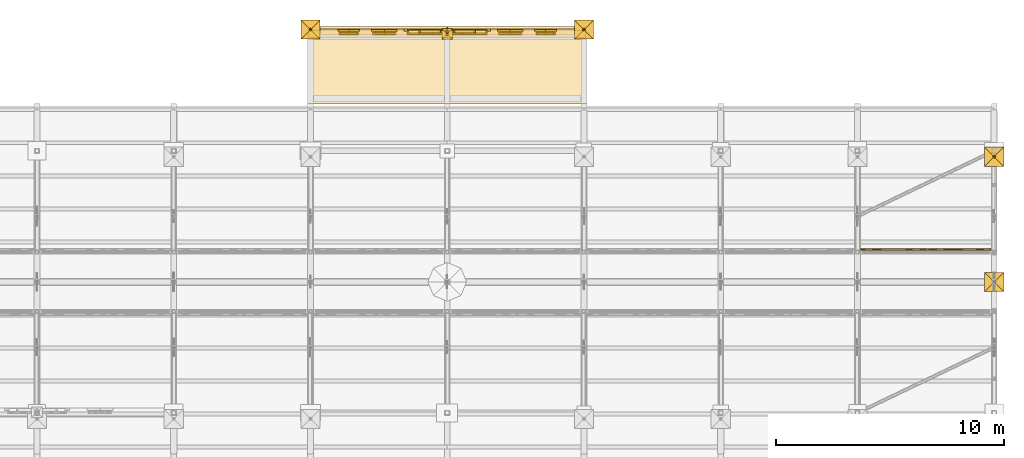
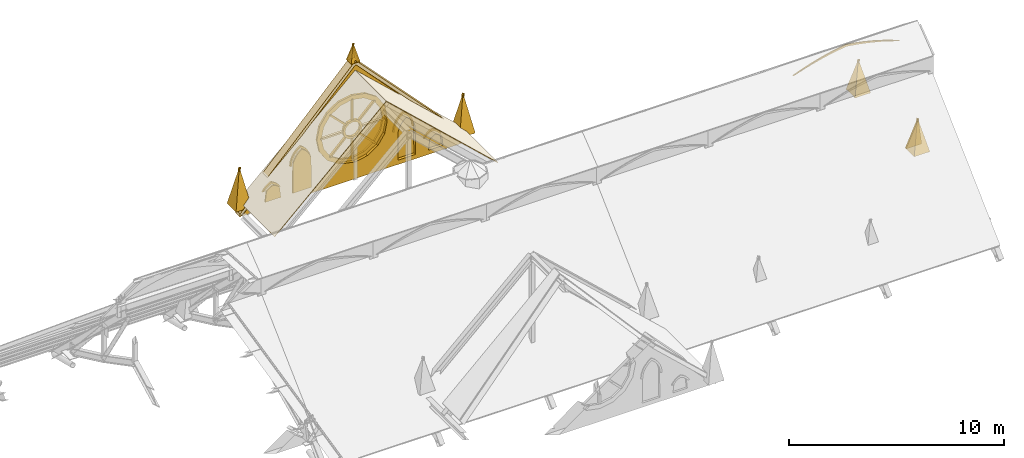
# One storey, part 31 of 33: 44 coverings.
"""IFC4 building model written with IfcOpenShell, lengths in metres."""

import ifcopenshell
import ifcopenshell.guid

model = None  # the IFC model being written
_history = None  # IfcOwnerHistory: only IFC2X3 demands one
_inside = {}  # id of a spatial element -> (the spatial element, [elements in it])
_under = {}  # id of a project, library or spatial element -> (it, [spatial elements below it])
_declared = {}  # id of a project -> (the project, [libraries it declares])
_typed = {}  # id of a type object -> (the type object, [elements of that type])
_made_of = {}  # id of a material, layer set ... -> (it, [elements and type objects made of it])


def new_model(schema):
    """Start an empty IFC model of exactly this schema.

    Asked for "IFC4X3", IfcOpenShell would pick the latest addendum, in which some entities
    have other attributes; the version numbers below select the first issue.
    IFC2X3 requires an IfcOwnerHistory on every rooted entity: one is made here for all.
    """
    global model, _history
    if schema == "IFC4X3":
        model = ifcopenshell.file(schema_version=(4, 3, 0, 0))
    else:
        model = ifcopenshell.file(schema=schema)
    _inside.clear()
    _under.clear()
    _declared.clear()
    _typed.clear()
    _made_of.clear()
    _history = None
    if model.schema == "IFC2X3":
        org = make("IfcOrganization", Name="unknown")
        user = make(
            "IfcPersonAndOrganization",
            ThePerson=make("IfcPerson", FamilyName="unknown"),
            TheOrganization=org,
        )
        app = make(
            "IfcApplication",
            ApplicationDeveloper=org,
            Version="unknown",
            ApplicationFullName="unknown",
            ApplicationIdentifier="unknown",
        )
        _history = make(
            "IfcOwnerHistory",
            OwningUser=user,
            OwningApplication=app,
            ChangeAction="ADDED",
            CreationDate=0,
        )
    return model


def make(cls, **values):
    """One entity of the class cls with the attributes given. An attribute that is None is left unset."""
    return model.create_entity(
        cls, **{name: value for name, value in values.items() if value is not None}
    )


def rooted(cls, **values):
    """An entity with a GlobalId (a new one), such as an element, a storey or a relation."""
    return make(cls, GlobalId=ifcopenshell.guid.new(), OwnerHistory=_history, **values)


def si_unit(unit_type, name, prefix=None):
    """IfcSIUnit, for example si_unit("LENGTHUNIT", "METRE", prefix="MILLI")."""
    return make("IfcSIUnit", UnitType=unit_type, Prefix=prefix, Name=name)


def assignment(units):
    """IfcUnitAssignment: the units of a project."""
    return None if units is None else make("IfcUnitAssignment", Units=units)


def point(xyz):
    """IfcCartesianPoint."""
    return None if xyz is None else make("IfcCartesianPoint", Coordinates=xyz)


def direction(xyz):
    """IfcDirection."""
    return None if xyz is None else make("IfcDirection", DirectionRatios=xyz)


def frame(location, z_axis=None, x_axis=None):
    """IfcAxis2Placement3D, a coordinate frame: its origin and axes. An axis left out is left unset."""
    return make(
        "IfcAxis2Placement3D",
        Location=point(location),
        Axis=direction(z_axis),
        RefDirection=direction(x_axis),
    )


def origin():
    """The frame at (0, 0, 0) with its axes left unset."""
    return frame((0.0, 0.0, 0.0))


def place(relative_to, where):
    """IfcLocalPlacement: puts the frame where relative to a parent placement (None: the world)."""
    return make(
        "IfcLocalPlacement", PlacementRelTo=relative_to, RelativePlacement=where
    )


def context(
    kind, dimensions, precision=None, world=None, true_north=None, identifier=None
):
    """IfcGeometricRepresentationContext, for example the 3D "Model" context."""
    return make(
        "IfcGeometricRepresentationContext",
        ContextIdentifier=identifier,
        ContextType=kind,
        CoordinateSpaceDimension=dimensions,
        Precision=precision,
        WorldCoordinateSystem=world,
        TrueNorth=true_north,
    )


def subcontext(parent, identifier, kind, view, scale=None):
    """IfcGeometricRepresentationSubContext, for example "Body" below "Model"."""
    return make(
        "IfcGeometricRepresentationSubContext",
        ContextIdentifier=identifier,
        ContextType=kind,
        ParentContext=parent,
        TargetScale=scale,
        TargetView=view,
    )


def project(units=None, contexts=None):
    """IfcProject with its units and contexts."""
    return rooted(
        "IfcProject",
        Name="project",
        RepresentationContexts=contexts,
        UnitsInContext=assignment(units),
    )


def spatial(cls, under=None, at=None, **own):
    """A site, building, storey or space (cls), placed at a placement, below another one or the project."""
    s = rooted(cls, ObjectPlacement=at, **own)
    if under is not None:
        _under.setdefault(under.id(), (under, []))[1].append(s)
    return s


def polyline(points):
    """IfcPolyline through the points."""
    return make("IfcPolyline", Points=[point(p) for p in points])


def outline(outer, holes=None, kind="AREA"):
    """IfcArbitraryClosedProfileDef: a profile drawn as a closed curve; with holes, ...WithVoids."""
    if holes is None:
        return make("IfcArbitraryClosedProfileDef", ProfileType=kind, OuterCurve=outer)
    return make(
        "IfcArbitraryProfileDefWithVoids",
        ProfileType=kind,
        OuterCurve=outer,
        InnerCurves=holes,
    )


def extrude(swept, where, along, depth):
    """IfcExtrudedAreaSolid: the profile swept, set in the frame where, extruded along a direction by depth."""
    return make(
        "IfcExtrudedAreaSolid",
        SweptArea=swept,
        Position=where,
        ExtrudedDirection=direction(along),
        Depth=depth,
    )


def shape(context_of_items, identifier, shape_type, items):
    """IfcShapeRepresentation: the items that make up one representation, for example the "Body"."""
    return make(
        "IfcShapeRepresentation",
        ContextOfItems=context_of_items,
        RepresentationIdentifier=identifier,
        RepresentationType=shape_type,
        Items=items,
    )


def material(Name=None, Category=None):
    """IfcMaterial."""
    return make("IfcMaterial", Name=Name, Category=Category)


def made_of(thing, what):
    """Note that an element or type object is made of a material, layer set ...; save() writes the relation."""
    if what is not None:
        _made_of.setdefault(what.id(), (what, []))[1].append(thing)
    return thing


def type_object(cls, material=None, **own):
    """A type object (cls), such as IfcWallType, which elements share."""
    return made_of(rooted(cls, **own), material)


def element(
    cls,
    number,
    at=None,
    inside=None,
    cuts=None,
    type_object=None,
    material=None,
    context=None,
    identifier="Body",
    shape_type=None,
    held_by="IfcProductDefinitionShape",
    body=None,
    shapes=None,
    **own,
):
    """One element of the class cls, such as IfcWall. Its Tag is "e" and its number.

    at: its placement. inside: the storey or other place that contains it. cuts: it is an
    opening in that element (IfcRelVoidsElement). A single representation is given by context,
    identifier, shape_type and body (its items); several are given by shapes. held_by: the class
    of the entity that holds the representations. save() writes the other relations.
    """
    e = rooted(cls, Tag="e%d" % number, ObjectPlacement=at, **own)
    if body is not None:
        shapes = [shape(context, identifier, shape_type, body)]
    if shapes is not None:
        e.Representation = make(held_by, Representations=shapes)
    if inside is not None:
        _inside.setdefault(inside.id(), (inside, []))[1].append(e)
    if cuts is not None:
        rooted(
            "IfcRelVoidsElement", RelatingBuildingElement=cuts, RelatedOpeningElement=e
        )
    if type_object is not None:
        _typed.setdefault(type_object.id(), (type_object, []))[1].append(e)
    return made_of(e, material)


def aggregate(whole, parts):
    """IfcRelAggregates: a whole, such as a stair, and the parts it consists of."""
    return rooted("IfcRelAggregates", RelatingObject=whole, RelatedObjects=parts)


def save(model, path):
    """Write the relations noted so far, then the file.

    IfcRelAggregates (storeys below a building ...), IfcRelContainedInSpatialStructure (elements
    in a storey), IfcRelDefinesByType, IfcRelAssociatesMaterial and IfcRelDeclares: one each for
    every whole, place, type object, material and project.
    """
    for whole, parts in _under.values():
        aggregate(whole, parts)
    for where, things in _inside.values():
        rooted(
            "IfcRelContainedInSpatialStructure",
            RelatedElements=things,
            RelatingStructure=where,
        )
    for kind, things in _typed.values():
        rooted("IfcRelDefinesByType", RelatedObjects=things, RelatingType=kind)
    for what, things in _made_of.values():
        rooted("IfcRelAssociatesMaterial", RelatedObjects=things, RelatingMaterial=what)
    for by, libraries in _declared.values():
        rooted("IfcRelDeclares", RelatingContext=by, RelatedDefinitions=libraries)
    model.write(path)


model = new_model("IFC4")

# Units and contexts
model_context = context("Model", 3, precision=1e-05, world=origin(), true_north=direction((0.0, 1.0)))
body_context = subcontext(model_context, "Body", "Model", "MODEL_VIEW")
ifc_project = project(units=[si_unit("LENGTHUNIT", "METRE"), si_unit("AREAUNIT", "SQUARE_METRE"), si_unit("VOLUMEUNIT", "CUBIC_METRE"), si_unit("PLANEANGLEUNIT", "RADIAN"), si_unit("MASSUNIT", "GRAM", prefix="KILO")], contexts=[model_context])

# Site, building, storey
site_placement = place(None, origin())
site = spatial("IfcSite", under=ifc_project, at=site_placement, CompositionType="ELEMENT")
building_placement = place(site_placement, origin())
building = spatial("IfcBuilding", under=site, at=building_placement, Name="Cumevento Cable Car Station", CompositionType="ELEMENT")
storey_placement = place(building_placement, frame((0.0, 0.0, 22.5)))
storey = spatial("IfcBuildingStorey", under=building, at=storey_placement, Name="RF", CompositionType="ELEMENT", Elevation=22.5)

# Coverings
ifc_material_1 = material(Name="Standing-Seam Zinc-Titanium Roof Sheet", Category="steel")
covering_type_1 = type_object("IfcCoveringType", Name="Standing-Seam Zinc Roofing CV-RF01", PredefinedType="ROOFING", material=ifc_material_1)
for number, where, z_axis, x_axis, name in (
    (1, (88.0, 61.949951171875, 1.20361328125), (-0.682004625705, 0.0, 0.731347858762), (0.0, -1.0, 0.0), "Standing-Seam Zinc Roof Covering #19"),
    (2, (94.014892578125, 61.949951171875, 6.784912109375), (0.682004625705, 0.0, 0.731347858762), (0.0, -1.0, 0.0), "Standing-Seam Zinc Roof Covering #20"),
):
    element("IfcCovering", number, at=place(storey_placement, frame(where, z_axis=z_axis, x_axis=x_axis)), inside=storey, type_object=covering_type_1, Name=name, PredefinedType="ROOFING", context=body_context, shape_type="SweptSolid", body=[
        extrude(outline(polyline([(0.0, 0.0), (3.39990234375, 0.0), (3.39990234375, 8.183667115676975), (0.0, 8.183667115676975), (0.0, 0.0)])), origin(), (0.0, 0.0, -1.0), 0.02587890625),
    ])
ifc_material_2 = material(Name="Gnaisse Facoidal Stone Ashlar 85 MPa", Category="masonry")
covering_type_2 = type_object("IfcCoveringType", Name="Gnaisse Ashlar Cladding CV-CL01", PredefinedType="CLADDING", material=ifc_material_2)
for number, where, z_axis, x_axis, name in (
    (3, (117.580078125, 51.159912109375, 0.3701171875), (0.0, 0.973845107191, 0.227212911607), (1.0, 0.0, 0.0), "Gothic Buttress Pinnacle Spire Facet 1 bt:118.0:51.0"),
    (4, (118.419921875, 51.159912109375, 0.3701171875), (0.973845107191, 0.0, 0.227212911607), (0.0, -1.0, 0.0), "Gothic Buttress Pinnacle Spire Facet 2 bt:118.0:51.0"),
    (5, (118.419921875, 50.320068359375, 0.3701171875), (0.0, -0.973845107191, 0.227212911607), (-1.0, 0.0, 0.0), "Gothic Buttress Pinnacle Spire Facet 3 bt:118.0:51.0"),
    (6, (117.580078125, 50.320068359375, 0.3701171875), (-0.973845107191, 0.0, 0.227212911607), (0.0, 1.0, 0.0), "Gothic Buttress Pinnacle Spire Facet 4 bt:118.0:51.0"),
    (7, (117.580078125, 56.659912109375, 0.3701171875), (0.0, 0.973845107191, 0.227212911607), (1.0, 0.0, 0.0), "Gothic Buttress Pinnacle Spire Facet 1 bt:118.0:56.5"),
    (8, (118.419921875, 56.659912109375, 0.3701171875), (0.973845107191, 0.0, 0.227212911607), (0.0, -1.0, 0.0), "Gothic Buttress Pinnacle Spire Facet 2 bt:118.0:56.5"),
    (9, (118.419921875, 55.820068359375, 0.3701171875), (0.0, -0.973845107191, 0.227212911607), (-1.0, 0.0, 0.0), "Gothic Buttress Pinnacle Spire Facet 3 bt:118.0:56.5"),
    (10, (117.580078125, 55.820068359375, 0.3701171875), (-0.973845107191, 0.0, 0.227212911607), (0.0, 1.0, 0.0), "Gothic Buttress Pinnacle Spire Facet 4 bt:118.0:56.5"),
):
    element("IfcCovering", number, at=place(storey_placement, frame(where, z_axis=z_axis, x_axis=x_axis)), inside=storey, type_object=covering_type_2, Name=name, PredefinedType="CLADDING", context=body_context, shape_type="SweptSolid", body=[
        extrude(outline(polyline([(0.0, 0.0), (0.83984375, 0.0), (0.419921875, -1.848142660686801), (0.0, 0.0)])), origin(), (0.0, 0.0, -1.0), 0.0849609375),
    ])
covering_1_placement = place(storey_placement, frame((88.419921875, 61.39990234375, 1.010009765625), z_axis=(0.0, -0.981432810331, 0.191806253302), x_axis=(-1.0, 0.0, 0.0)))
element("IfcCovering", 11, at=covering_1_placement, inside=storey, type_object=covering_type_2, Name="Gothic Buttress Pinnacle Spire Facet 1 ptl_butt_f:1:88", PredefinedType="CLADDING", context=body_context, shape_type="SweptSolid", body=[
    extrude(outline(polyline([(0.0, 0.0), (0.83984375, 0.0), (0.419921875, -2.190575168385676), (0.0, 0.0)])), origin(), (0.0, 0.0, -1.0), 0.0849609375),
])
covering_2_placement = place(storey_placement, frame((87.580078125, 61.39990234375, 1.010009765625), z_axis=(-0.981453784896, 0.0, 0.191698899616), x_axis=(0.0, 1.0, 0.0)))
element("IfcCovering", 12, at=covering_2_placement, inside=storey, type_object=covering_type_2, Name="Gothic Buttress Pinnacle Spire Facet 2 ptl_butt_f:1:88", PredefinedType="CLADDING", context=body_context, shape_type="SweptSolid", body=[
    extrude(outline(polyline([(0.0, 0.0), (0.840087890625, 0.0), (0.420166015625, -2.1905283537916733), (0.0, 0.0)])), origin(), (0.0, 0.0, -1.0), 0.0849609375),
])
covering_3_placement = place(storey_placement, frame((87.580078125, 62.239990234375, 1.010009765625), z_axis=(0.0, 0.981453784896, 0.191698899616), x_axis=(1.0, 0.0, 0.0)))
element("IfcCovering", 13, at=covering_3_placement, inside=storey, type_object=covering_type_2, Name="Gothic Buttress Pinnacle Spire Facet 3 ptl_butt_f:1:88", PredefinedType="CLADDING", context=body_context, shape_type="SweptSolid", body=[
    extrude(outline(polyline([(0.0, 0.0), (0.83984375, 0.0), (0.419921875, -2.1905283537916733), (0.0, 0.0)])), origin(), (0.0, 0.0, -1.0), 0.0849609375),
])
covering_4_placement = place(storey_placement, frame((88.419921875, 62.239990234375, 1.010009765625), z_axis=(0.981453784896, 0.0, 0.191698899616), x_axis=(0.0, -1.0, 0.0)))
element("IfcCovering", 14, at=covering_4_placement, inside=storey, type_object=covering_type_2, Name="Gothic Buttress Pinnacle Spire Facet 4 ptl_butt_f:1:88", PredefinedType="CLADDING", context=body_context, shape_type="SweptSolid", body=[
    extrude(outline(polyline([(0.0, 0.0), (0.840087890625, 0.0), (0.419921875, -2.1905283537916733), (0.0, 0.0)])), origin(), (0.0, 0.0, -1.0), 0.0849609375),
])
covering_5_placement = place(storey_placement, frame((100.419921875, 61.39990234375, 1.010009765625), z_axis=(0.0, -0.981432810331, 0.191806253302), x_axis=(-1.0, 0.0, 0.0)))
element("IfcCovering", 15, at=covering_5_placement, inside=storey, type_object=covering_type_2, Name="Gothic Buttress Pinnacle Spire Facet 1 ptl_butt_f:1:100", PredefinedType="CLADDING", context=body_context, shape_type="SweptSolid", body=[
    extrude(outline(polyline([(0.0, 0.0), (0.83984375, 0.0), (0.419921875, -2.190575168385676), (0.0, 0.0)])), origin(), (0.0, 0.0, -1.0), 0.0849609375),
])
covering_6_placement = place(storey_placement, frame((99.580078125, 61.39990234375, 1.010009765625), z_axis=(-0.981453784896, 0.0, 0.191698899616), x_axis=(0.0, 1.0, 0.0)))
element("IfcCovering", 16, at=covering_6_placement, inside=storey, type_object=covering_type_2, Name="Gothic Buttress Pinnacle Spire Facet 2 ptl_butt_f:1:100", PredefinedType="CLADDING", context=body_context, shape_type="SweptSolid", body=[
    extrude(outline(polyline([(0.0, 0.0), (0.840087890625, 0.0), (0.420166015625, -2.1905283537916733), (0.0, 0.0)])), origin(), (0.0, 0.0, -1.0), 0.0849609375),
])
covering_7_placement = place(storey_placement, frame((99.580078125, 62.239990234375, 1.010009765625), z_axis=(0.0, 0.981453784896, 0.191698899616), x_axis=(1.0, 0.0, 0.0)))
element("IfcCovering", 17, at=covering_7_placement, inside=storey, type_object=covering_type_2, Name="Gothic Buttress Pinnacle Spire Facet 3 ptl_butt_f:1:100", PredefinedType="CLADDING", context=body_context, shape_type="SweptSolid", body=[
    extrude(outline(polyline([(0.0, 0.0), (0.83984375, 0.0), (0.419921875, -2.1905283537916733), (0.0, 0.0)])), origin(), (0.0, 0.0, -1.0), 0.0849609375),
])
covering_8_placement = place(storey_placement, frame((100.419921875, 62.239990234375, 1.010009765625), z_axis=(0.981453784896, 0.0, 0.191698899616), x_axis=(0.0, -1.0, 0.0)))
element("IfcCovering", 18, at=covering_8_placement, inside=storey, type_object=covering_type_2, Name="Gothic Buttress Pinnacle Spire Facet 4 ptl_butt_f:1:100", PredefinedType="CLADDING", context=body_context, shape_type="SweptSolid", body=[
    extrude(outline(polyline([(0.0, 0.0), (0.840087890625, 0.0), (0.419921875, -2.1905283537916733), (0.0, 0.0)])), origin(), (0.0, 0.0, -1.0), 0.0849609375),
])
placement = place(storey_placement, frame((88.0, 61.5, 0.699951171875), z_axis=(0.0, 0.0, 1.0), x_axis=(1.0, 0.0, 0.0)))
element("IfcCovering", 19, at=placement, inside=storey, type_object=covering_type_2, Name="Gothic Stone Gable Tympanum ptl_canopy_gable:1", PredefinedType="CLADDING", context=body_context, shape_type="SweptSolid", body=[
    extrude(outline(polyline([(-0.080078125, -0.06005859375), (12.080078125, -0.06005859375), (6.0, 6.429931640625), (-0.080078125, -0.06005859375)]), holes=[polyline([(7.714599609375, 2.603515625), (7.583984375, 3.259521484375), (7.21240234375, 3.81591796875), (6.656005859375, 4.1875), (6.0, 4.318115234375), (5.343994140625, 4.1875), (4.78759765625, 3.81591796875), (4.416015625, 3.259521484375), (4.285400390625, 2.603515625), (4.416015625, 1.947509765625), (4.78759765625, 1.39111328125), (5.343994140625, 1.01953125), (6.0, 0.888916015625), (6.656005859375, 1.01953125), (7.21240234375, 1.39111328125), (7.583984375, 1.947509765625), (7.714599609375, 2.603515625)]), polyline([(2.764892578125, 0.179931640625), (3.715087890625, 0.179931640625), (3.6943359375, 1.80224609375), (3.63330078125, 1.999267578125), (3.534423828125, 2.18017578125), (3.401611328125, 2.337646484375), (3.239990234375, 2.4658203125), (3.078369140625, 2.337646484375), (2.945556640625, 2.18017578125), (2.8466796875, 1.999267578125), (2.78564453125, 1.80224609375), (2.764892578125, 0.179931640625)]), polyline([(8.284912109375, 0.179931640625), (9.235107421875, 0.179931640625), (9.21435546875, 1.80224609375), (9.153564453125, 1.999267578125), (9.054443359375, 2.18017578125), (8.921630859375, 2.337646484375), (8.760009765625, 2.4658203125), (8.598388671875, 2.337646484375), (8.465576171875, 2.18017578125), (8.366455078125, 1.999267578125), (8.3056640625, 1.80224609375), (8.284912109375, 0.179931640625)]), polyline([(1.2900390625, 0.179931640625), (2.070068359375, 0.179931640625), (2.007568359375, 0.74267578125), (1.936279296875, 0.81201171875), (1.857177734375, 0.872314453125), (1.771240234375, 0.9228515625), (1.679931640625, 0.962646484375), (1.5888671875, 0.9228515625), (1.5029296875, 0.872314453125), (1.423828125, 0.81201171875), (1.3525390625, 0.74267578125), (1.2900390625, 0.179931640625)]), polyline([(9.929931640625, 0.179931640625), (10.7099609375, 0.179931640625), (10.6474609375, 0.74267578125), (10.575927734375, 0.81201171875), (10.496826171875, 0.872314453125), (10.4111328125, 0.9228515625), (10.320068359375, 0.962646484375), (10.228759765625, 0.9228515625), (10.14306640625, 0.872314453125), (10.06396484375, 0.81201171875), (9.992431640625, 0.74267578125), (9.929931640625, 0.179931640625)])]), frame((0.0, 0.280029296875, 0.0), z_axis=(0.0, -1.0, 0.0), x_axis=(1.0, 0.0, 0.0)), (0.0, 0.0, 1.0), 0.340087890625),
])
element("IfcCovering", 20, at=placement, inside=storey, type_object=covering_type_2, Name="Gothic Gable Recessed Tracery Backing ptl_canopy_gable:1 rose", PredefinedType="CLADDING", context=body_context, shape_type="SweptSolid", body=[
    extrude(outline(polyline([(7.75439453125, 2.603515625), (7.620849609375, 3.27490234375), (7.24072265625, 3.84423828125), (6.67138671875, 4.224365234375), (6.0, 4.35791015625), (5.32861328125, 4.224365234375), (4.75927734375, 3.84423828125), (4.379150390625, 3.27490234375), (4.24560546875, 2.603515625), (4.379150390625, 1.93212890625), (4.75927734375, 1.36279296875), (5.32861328125, 0.982666015625), (6.0, 0.84912109375), (6.67138671875, 0.982666015625), (7.24072265625, 1.36279296875), (7.620849609375, 1.93212890625), (7.75439453125, 2.603515625)])), frame((0.0, 0.169921875, 0.0), z_axis=(0.0, -1.0, 0.0), x_axis=(1.0, 0.0, 0.0)), (0.0, 0.0, 1.0), 0.074951171875),
])
element("IfcCovering", 21, at=placement, inside=storey, type_object=covering_type_2, Name="Gothic Gable Recessed Tracery Backing ptl_canopy_gable:1 lancet_0", PredefinedType="CLADDING", context=body_context, shape_type="SweptSolid", body=[
    extrude(outline(polyline([(2.735107421875, 0.14990234375), (3.7451171875, 0.14990234375), (3.722900390625, 1.810302734375), (3.65771484375, 2.013427734375), (3.55224609375, 2.19873046875), (3.4111328125, 2.3583984375), (3.239990234375, 2.48583984375), (3.06884765625, 2.3583984375), (2.927734375, 2.19873046875), (2.822265625, 2.013427734375), (2.757080078125, 1.810302734375), (2.735107421875, 0.14990234375)])), frame((0.0, 0.169921875, 0.0), z_axis=(0.0, -1.0, 0.0), x_axis=(1.0, 0.0, 0.0)), (0.0, 0.0, 1.0), 0.074951171875),
])
element("IfcCovering", 22, at=placement, inside=storey, type_object=covering_type_2, Name="Gothic Gable Recessed Tracery Backing ptl_canopy_gable:1 lancet_1", PredefinedType="CLADDING", context=body_context, shape_type="SweptSolid", body=[
    extrude(outline(polyline([(8.2548828125, 0.14990234375), (9.264892578125, 0.14990234375), (9.242919921875, 1.810302734375), (9.177978515625, 2.013427734375), (9.072509765625, 2.19873046875), (8.93115234375, 2.3583984375), (8.760009765625, 2.48583984375), (8.5888671875, 2.3583984375), (8.447509765625, 2.19873046875), (8.342041015625, 2.013427734375), (8.277099609375, 1.810302734375), (8.2548828125, 0.14990234375)])), frame((0.0, 0.169921875, 0.0), z_axis=(0.0, -1.0, 0.0), x_axis=(1.0, 0.0, 0.0)), (0.0, 0.0, 1.0), 0.074951171875),
])
element("IfcCovering", 23, at=placement, inside=storey, type_object=covering_type_2, Name="Gothic Gable Recessed Tracery Backing ptl_canopy_gable:1 lancet_2", PredefinedType="CLADDING", context=body_context, shape_type="SweptSolid", body=[
    extrude(outline(polyline([(1.260009765625, 0.14990234375), (2.10009765625, 0.14990234375), (2.032470703125, 0.748779296875), (1.955322265625, 0.822509765625), (1.8701171875, 0.88671875), (1.778076171875, 0.9404296875), (1.679931640625, 0.982666015625), (1.58203125, 0.9404296875), (1.489990234375, 0.88671875), (1.40478515625, 0.822509765625), (1.32763671875, 0.748779296875), (1.260009765625, 0.14990234375)])), frame((0.0, 0.169921875, 0.0), z_axis=(0.0, -1.0, 0.0), x_axis=(1.0, 0.0, 0.0)), (0.0, 0.0, 1.0), 0.074951171875),
])
element("IfcCovering", 24, at=placement, inside=storey, type_object=covering_type_2, Name="Gothic Gable Recessed Tracery Backing ptl_canopy_gable:1 lancet_3", PredefinedType="CLADDING", context=body_context, shape_type="SweptSolid", body=[
    extrude(outline(polyline([(9.89990234375, 0.14990234375), (10.739990234375, 0.14990234375), (10.672119140625, 0.748779296875), (10.59521484375, 0.822509765625), (10.510009765625, 0.88671875), (10.417724609375, 0.9404296875), (10.320068359375, 0.982666015625), (10.22216796875, 0.9404296875), (10.1298828125, 0.88671875), (10.044677734375, 0.822509765625), (9.9677734375, 0.748779296875), (9.89990234375, 0.14990234375)])), frame((0.0, 0.169921875, 0.0), z_axis=(0.0, -1.0, 0.0), x_axis=(1.0, 0.0, 0.0)), (0.0, 0.0, 1.0), 0.074951171875),
])
element("IfcCovering", 25, at=placement, inside=storey, type_object=covering_type_2, Name="Gothic 16-Sided Stone Rose Window Ring ptl_canopy_gable:1", PredefinedType="CLADDING", context=body_context, shape_type="SweptSolid", body=[
    extrude(outline(polyline([(7.89453125, 2.603515625), (7.750244140625, 3.32861328125), (7.339599609375, 3.943115234375), (6.72509765625, 4.353759765625), (6.0, 4.498046875), (5.27490234375, 4.353759765625), (4.660400390625, 3.943115234375), (4.249755859375, 3.32861328125), (4.10546875, 2.603515625), (4.249755859375, 1.87841796875), (4.660400390625, 1.263916015625), (5.27490234375, 0.853271484375), (6.0, 0.708984375), (6.72509765625, 0.853271484375), (7.339599609375, 1.263916015625), (7.750244140625, 1.87841796875), (7.89453125, 2.603515625)]), holes=[polyline([(7.64453125, 2.603515625), (7.519287109375, 3.23291015625), (7.162841796875, 3.766357421875), (6.62939453125, 4.122802734375), (6.0, 4.248046875), (5.37060546875, 4.122802734375), (4.837158203125, 3.766357421875), (4.480712890625, 3.23291015625), (4.35546875, 2.603515625), (4.480712890625, 1.97412109375), (4.837158203125, 1.440673828125), (5.37060546875, 1.084228515625), (6.0, 0.958984375), (6.62939453125, 1.084228515625), (7.162841796875, 1.440673828125), (7.519287109375, 1.97412109375), (7.64453125, 2.603515625)])]), frame((0.0, 0.3349609375, 0.0), z_axis=(0.0, -1.0, 0.0), x_axis=(1.0, 0.0, 0.0)), (0.0, 0.0, 1.0), 0.110107421875),
])
element("IfcCovering", 26, at=placement, inside=storey, type_object=covering_type_2, Name="Gothic Rose Central Stone Oculus Hub ptl_canopy_gable:1", PredefinedType="CLADDING", context=body_context, shape_type="SweptSolid", body=[
    extrude(outline(polyline([(6.52587890625, 2.603515625), (6.455322265625, 2.866455078125), (6.262939453125, 3.058837890625), (6.0, 3.12939453125), (5.737060546875, 3.058837890625), (5.544677734375, 2.866455078125), (5.47412109375, 2.603515625), (5.544677734375, 2.340576171875), (5.737060546875, 2.148193359375), (6.0, 2.07763671875), (6.262939453125, 2.148193359375), (6.455322265625, 2.340576171875), (6.52587890625, 2.603515625)]), holes=[polyline([(6.40576171875, 2.603515625), (6.351318359375, 2.806396484375), (6.202880859375, 2.954833984375), (6.0, 3.00927734375), (5.797119140625, 2.954833984375), (5.648681640625, 2.806396484375), (5.59423828125, 2.603515625), (5.648681640625, 2.400634765625), (5.797119140625, 2.251953125), (6.0, 2.19775390625), (6.202880859375, 2.251953125), (6.351318359375, 2.400634765625), (6.40576171875, 2.603515625)])]), frame((0.0, 0.31005859375, 0.0), z_axis=(0.0, -1.0, 0.0), x_axis=(1.0, 0.0, 0.0)), (0.0, 0.0, 1.0), 0.139892578125),
])
element("IfcCovering", 27, at=placement, inside=storey, type_object=covering_type_2, Name="Gothic Rose Stone Tracery Mullion ptl_canopy_gable:1 #1", PredefinedType="CLADDING", context=body_context, shape_type="SweptSolid", body=[
    extrude(outline(polyline([(6.475830078125, 2.6484375), (7.694580078125, 2.6484375), (7.694580078125, 2.55859375), (6.475830078125, 2.55859375), (6.475830078125, 2.6484375)])), frame((0.0, 0.304931640625, 0.0), z_axis=(0.0, -1.0, 0.0), x_axis=(1.0, 0.0, 0.0)), (0.0, 0.0, 1.0), 0.1298828125),
])
element("IfcCovering", 28, at=placement, inside=storey, type_object=covering_type_2, Name="Gothic Rose Stone Tracery Mullion ptl_canopy_gable:1 #2", PredefinedType="CLADDING", context=body_context, shape_type="SweptSolid", body=[
    extrude(outline(polyline([(6.3046875, 2.9716796875), (7.166259765625, 3.83349609375), (7.22998046875, 3.769775390625), (6.3681640625, 2.908203125), (6.3046875, 2.9716796875)])), frame((0.0, 0.304931640625, 0.0), z_axis=(0.0, -1.0, 0.0), x_axis=(1.0, 0.0, 0.0)), (0.0, 0.0, 1.0), 0.1298828125),
])
element("IfcCovering", 29, at=placement, inside=storey, type_object=covering_type_2, Name="Gothic Rose Stone Tracery Mullion ptl_canopy_gable:1 #3", PredefinedType="CLADDING", context=body_context, shape_type="SweptSolid", body=[
    extrude(outline(polyline([(5.955078125, 3.079345703125), (5.955078125, 4.298095703125), (6.044921875, 4.298095703125), (6.044921875, 3.079345703125), (5.955078125, 3.079345703125)])), frame((0.0, 0.304931640625, 0.0), z_axis=(0.0, -1.0, 0.0), x_axis=(1.0, 0.0, 0.0)), (0.0, 0.0, 1.0), 0.1298828125),
])
element("IfcCovering", 30, at=placement, inside=storey, type_object=covering_type_2, Name="Gothic Rose Stone Tracery Mullion ptl_canopy_gable:1 #4", PredefinedType="CLADDING", context=body_context, shape_type="SweptSolid", body=[
    extrude(outline(polyline([(5.6318359375, 2.908203125), (4.77001953125, 3.769775390625), (4.833740234375, 3.83349609375), (5.6953125, 2.9716796875), (5.6318359375, 2.908203125)])), frame((0.0, 0.304931640625, 0.0), z_axis=(0.0, -1.0, 0.0), x_axis=(1.0, 0.0, 0.0)), (0.0, 0.0, 1.0), 0.1298828125),
])
element("IfcCovering", 31, at=placement, inside=storey, type_object=covering_type_2, Name="Gothic Rose Stone Tracery Mullion ptl_canopy_gable:1 #5", PredefinedType="CLADDING", context=body_context, shape_type="SweptSolid", body=[
    extrude(outline(polyline([(5.524169921875, 2.55859375), (4.305419921875, 2.55859375), (4.305419921875, 2.6484375), (5.524169921875, 2.6484375), (5.524169921875, 2.55859375)])), frame((0.0, 0.304931640625, 0.0), z_axis=(0.0, -1.0, 0.0), x_axis=(1.0, 0.0, 0.0)), (0.0, 0.0, 1.0), 0.1298828125),
])
element("IfcCovering", 32, at=placement, inside=storey, type_object=covering_type_2, Name="Gothic Rose Stone Tracery Mullion ptl_canopy_gable:1 #6", PredefinedType="CLADDING", context=body_context, shape_type="SweptSolid", body=[
    extrude(outline(polyline([(5.6953125, 2.2353515625), (4.833740234375, 1.37353515625), (4.77001953125, 1.43701171875), (5.6318359375, 2.298828125), (5.6953125, 2.2353515625)])), frame((0.0, 0.304931640625, 0.0), z_axis=(0.0, -1.0, 0.0), x_axis=(1.0, 0.0, 0.0)), (0.0, 0.0, 1.0), 0.1298828125),
])
element("IfcCovering", 33, at=placement, inside=storey, type_object=covering_type_2, Name="Gothic Rose Stone Tracery Mullion ptl_canopy_gable:1 #7", PredefinedType="CLADDING", context=body_context, shape_type="SweptSolid", body=[
    extrude(outline(polyline([(6.044921875, 2.127685546875), (6.044921875, 0.908935546875), (5.955078125, 0.908935546875), (5.955078125, 2.127685546875), (6.044921875, 2.127685546875)])), frame((0.0, 0.304931640625, 0.0), z_axis=(0.0, -1.0, 0.0), x_axis=(1.0, 0.0, 0.0)), (0.0, 0.0, 1.0), 0.1298828125),
])
element("IfcCovering", 34, at=placement, inside=storey, type_object=covering_type_2, Name="Gothic Rose Stone Tracery Mullion ptl_canopy_gable:1 #8", PredefinedType="CLADDING", context=body_context, shape_type="SweptSolid", body=[
    extrude(outline(polyline([(6.3681640625, 2.298828125), (7.22998046875, 1.43701171875), (7.166259765625, 1.37353515625), (6.3046875, 2.2353515625), (6.3681640625, 2.298828125)])), frame((0.0, 0.304931640625, 0.0), z_axis=(0.0, -1.0, 0.0), x_axis=(1.0, 0.0, 0.0)), (0.0, 0.0, 1.0), 0.1298828125),
])
element("IfcCovering", 35, at=placement, inside=storey, type_object=covering_type_2, Name="Gable Lancet Stone Hood Moulding ptl_canopy_gable:1 #1", PredefinedType="CLADDING", context=body_context, shape_type="SweptSolid", body=[
    extrude(outline(polyline([(2.764892578125, 1.59716796875), (2.78564453125, 1.80224609375), (2.8466796875, 1.999267578125), (2.945556640625, 2.18017578125), (3.078369140625, 2.337646484375), (3.239990234375, 2.4658203125), (3.401611328125, 2.337646484375), (3.534423828125, 2.18017578125), (3.63330078125, 1.999267578125), (3.6943359375, 1.80224609375), (3.715087890625, 1.59716796875), (3.804931640625, 1.59716796875), (3.7802734375, 1.833740234375), (3.70751953125, 2.06005859375), (3.58935546875, 2.2666015625), (3.431396484375, 2.4443359375), (3.239990234375, 2.585693359375), (3.048583984375, 2.4443359375), (2.890625, 2.2666015625), (2.7724609375, 2.06005859375), (2.69970703125, 1.833740234375), (2.675048828125, 1.59716796875), (2.764892578125, 1.59716796875)])), frame((0.0, 0.324951171875, 0.0), z_axis=(0.0, -1.0, 0.0), x_axis=(1.0, 0.0, 0.0)), (0.0, 0.0, 1.0), 0.090087890625),
])
element("IfcCovering", 36, at=placement, inside=storey, type_object=covering_type_2, Name="Gable Lancet Stone Hood Moulding ptl_canopy_gable:1 #2", PredefinedType="CLADDING", context=body_context, shape_type="SweptSolid", body=[
    extrude(outline(polyline([(8.284912109375, 1.59716796875), (8.3056640625, 1.80224609375), (8.366455078125, 1.999267578125), (8.465576171875, 2.18017578125), (8.598388671875, 2.337646484375), (8.760009765625, 2.4658203125), (8.921630859375, 2.337646484375), (9.054443359375, 2.18017578125), (9.153564453125, 1.999267578125), (9.21435546875, 1.80224609375), (9.235107421875, 1.59716796875), (9.324951171875, 1.59716796875), (9.30029296875, 1.833740234375), (9.2275390625, 2.06005859375), (9.109375, 2.2666015625), (8.951416015625, 2.4443359375), (8.760009765625, 2.585693359375), (8.568603515625, 2.4443359375), (8.41064453125, 2.2666015625), (8.29248046875, 2.06005859375), (8.2197265625, 1.833740234375), (8.195068359375, 1.59716796875), (8.284912109375, 1.59716796875)])), frame((0.0, 0.324951171875, 0.0), z_axis=(0.0, -1.0, 0.0), x_axis=(1.0, 0.0, 0.0)), (0.0, 0.0, 1.0), 0.090087890625),
])
element("IfcCovering", 37, at=placement, inside=storey, type_object=covering_type_2, Name="Gable Lancet Stone Hood Moulding ptl_canopy_gable:1 #3", PredefinedType="CLADDING", context=body_context, shape_type="SweptSolid", body=[
    extrude(outline(polyline([(1.2900390625, 0.665283203125), (1.3525390625, 0.74267578125), (1.423828125, 0.81201171875), (1.5029296875, 0.872314453125), (1.5888671875, 0.9228515625), (1.679931640625, 0.962646484375), (1.771240234375, 0.9228515625), (1.857177734375, 0.872314453125), (1.936279296875, 0.81201171875), (2.007568359375, 0.74267578125), (2.070068359375, 0.665283203125), (2.159912109375, 0.665283203125), (2.087890625, 0.772705078125), (2.002197265625, 0.869873046875), (1.904541015625, 0.954833984375), (1.796630859375, 1.026123046875), (1.679931640625, 1.082763671875), (1.5634765625, 1.026123046875), (1.45556640625, 0.954833984375), (1.35791015625, 0.869873046875), (1.272216796875, 0.772705078125), (1.199951171875, 0.665283203125), (1.2900390625, 0.665283203125)])), frame((0.0, 0.324951171875, 0.0), z_axis=(0.0, -1.0, 0.0), x_axis=(1.0, 0.0, 0.0)), (0.0, 0.0, 1.0), 0.090087890625),
])
element("IfcCovering", 38, at=placement, inside=storey, type_object=covering_type_2, Name="Gable Lancet Stone Hood Moulding ptl_canopy_gable:1 #4", PredefinedType="CLADDING", context=body_context, shape_type="SweptSolid", body=[
    extrude(outline(polyline([(9.929931640625, 0.665283203125), (9.992431640625, 0.74267578125), (10.06396484375, 0.81201171875), (10.14306640625, 0.872314453125), (10.228759765625, 0.9228515625), (10.320068359375, 0.962646484375), (10.4111328125, 0.9228515625), (10.496826171875, 0.872314453125), (10.575927734375, 0.81201171875), (10.6474609375, 0.74267578125), (10.7099609375, 0.665283203125), (10.800048828125, 0.665283203125), (10.727783203125, 0.772705078125), (10.64208984375, 0.869873046875), (10.54443359375, 0.954833984375), (10.436279296875, 1.026123046875), (10.320068359375, 1.082763671875), (10.20361328125, 1.026123046875), (10.095458984375, 0.954833984375), (9.997802734375, 0.869873046875), (9.912109375, 0.772705078125), (9.840087890625, 0.665283203125), (9.929931640625, 0.665283203125)])), frame((0.0, 0.324951171875, 0.0), z_axis=(0.0, -1.0, 0.0), x_axis=(1.0, 0.0, 0.0)), (0.0, 0.0, 1.0), 0.090087890625),
])
element("IfcCovering", 39, at=placement, inside=storey, type_object=covering_type_2, Name="Raking Gothic Stone Gable Coping ptl_canopy_gable:1", PredefinedType="CLADDING", context=body_context, shape_type="SweptSolid", body=[
    extrude(outline(polyline([(-0.199951171875, -0.06005859375), (6.0, 6.429931640625), (12.199951171875, -0.06005859375), (12.199951171875, 0.139892578125), (6.0, 6.669921875), (-0.199951171875, 0.139892578125), (-0.199951171875, -0.06005859375)])), frame((0.0, 0.340087890625, 0.0), z_axis=(0.0, -1.0, 0.0), x_axis=(1.0, 0.0, 0.0)), (0.0, 0.0, 1.0), 0.43994140625),
])
covering_30_placement = place(storey_placement, frame((93.760009765625, 61.389892578125, 7.22998046875), z_axis=(0.0, -0.971851768579, 0.235593166094), x_axis=(1.0, 0.0, 0.0)))
element("IfcCovering", 40, at=covering_30_placement, inside=storey, type_object=covering_type_2, Name="Gothic Gable Finial Spire Facet 1 ptl_canopy_gable:1", PredefinedType="CLADDING", context=body_context, shape_type="SweptSolid", body=[
    extrude(outline(polyline([(0.0, 0.0), (0.47998046875, 0.0), (0.239990234375, 1.0186638193011641), (0.0, 0.0)])), origin(), (0.0, 0.0, -1.0), 0.06494140625),
])
covering_31_placement = place(storey_placement, frame((94.239990234375, 61.389892578125, 7.22998046875), z_axis=(0.971851768579, 0.0, 0.235593166094), x_axis=(0.0, 1.0, 0.0)))
element("IfcCovering", 41, at=covering_31_placement, inside=storey, type_object=covering_type_2, Name="Gothic Gable Finial Spire Facet 2 ptl_canopy_gable:1", PredefinedType="CLADDING", context=body_context, shape_type="SweptSolid", body=[
    extrude(outline(polyline([(0.0, 0.0), (0.480224609375, 0.0), (0.239990234375, 1.0186638193011641), (0.0, 0.0)])), origin(), (0.0, 0.0, -1.0), 0.06494140625),
])
covering_32_placement = place(storey_placement, frame((94.239990234375, 61.8701171875, 7.22998046875), z_axis=(0.0, 0.971796870653, 0.235819511892), x_axis=(-1.0, 0.0, 0.0)))
element("IfcCovering", 42, at=covering_32_placement, inside=storey, type_object=covering_type_2, Name="Gothic Gable Finial Spire Facet 3 ptl_canopy_gable:1", PredefinedType="CLADDING", context=body_context, shape_type="SweptSolid", body=[
    extrude(outline(polyline([(0.0, 0.0), (0.47998046875, 0.0), (0.239990234375, 1.0187213647948627), (0.0, 0.0)])), origin(), (0.0, 0.0, -1.0), 0.06494140625),
])
covering_33_placement = place(storey_placement, frame((93.760009765625, 61.8701171875, 7.22998046875), z_axis=(-0.971851768579, 0.0, 0.235593166094), x_axis=(0.0, -1.0, 0.0)))
element("IfcCovering", 43, at=covering_33_placement, inside=storey, type_object=covering_type_2, Name="Gothic Gable Finial Spire Facet 4 ptl_canopy_gable:1", PredefinedType="CLADDING", context=body_context, shape_type="SweptSolid", body=[
    extrude(outline(polyline([(0.0, 0.0), (0.480224609375, 0.0), (0.240234375, 1.0186638193011641), (0.0, 0.0)])), origin(), (0.0, 0.0, -1.0), 0.06494140625),
])
covering_34_placement = place(storey_placement, frame((112.0, 52.050048828125, 5.75), z_axis=(0.0, 0.0, 1.0), x_axis=(1.0, 0.0, 0.0)))
element("IfcCovering", 44, at=covering_34_placement, inside=storey, type_object=covering_type_2, Name="Gothic Pointed Archivolt Hood Moulding bh_lantern_arc:N:8", PredefinedType="CLADDING", context=body_context, shape_type="SweptSolid", body=[
    extrude(outline(polyline([(0.219970703125, 0.0), (0.672119140625, 0.153564453125), (1.129638671875, 0.290283203125), (1.591796875, 0.41064453125), (2.057861328125, 0.51416015625), (2.527587890625, 0.6005859375), (3.0, 0.669921875), (3.472412109375, 0.6005859375), (3.942138671875, 0.51416015625), (4.408203125, 0.41064453125), (4.870361328125, 0.290283203125), (5.327880859375, 0.153564453125), (5.780029296875, 0.0), (5.867919921875, 0.0), (5.404541015625, 0.17822265625), (4.934326171875, 0.337646484375), (4.457763671875, 0.477783203125), (3.97607421875, 0.59814453125), (3.489990234375, 0.698974609375), (3.0, 0.780029296875), (2.510009765625, 0.698974609375), (2.02392578125, 0.59814453125), (1.542236328125, 0.477783203125), (1.065673828125, 0.337646484375), (0.595458984375, 0.17822265625), (0.132080078125, 0.0), (0.219970703125, 0.0)])), frame((0.0, 0.162109375, 0.0), z_axis=(0.0, -1.0, 0.0), x_axis=(1.0, 0.0, 0.0)), (0.0, 0.0, 1.0), 0.06689453125),
])

save(model, "model.ifc")
